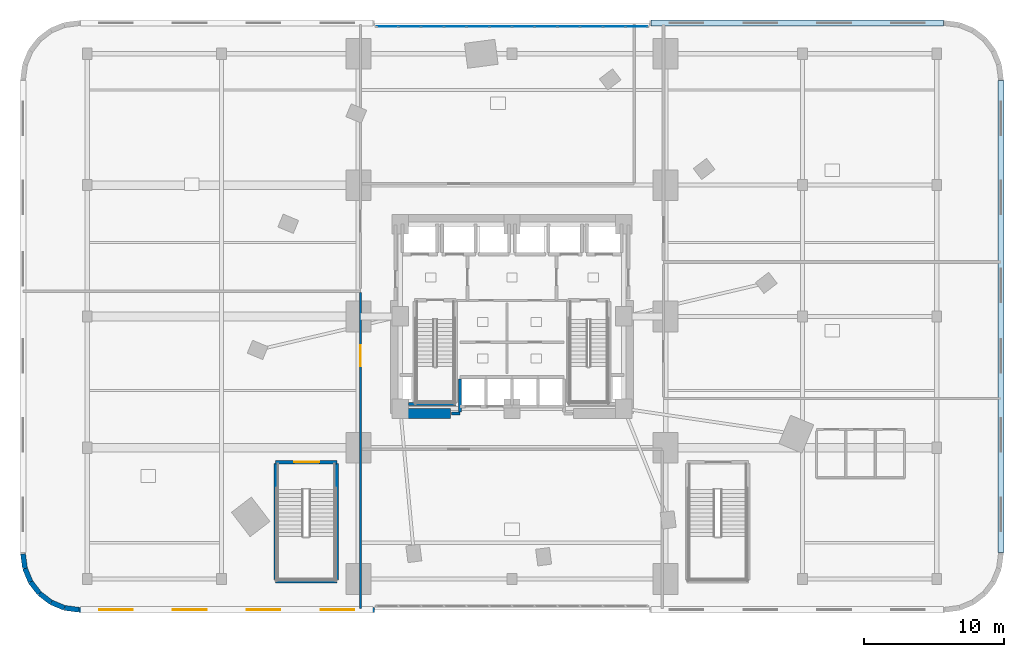
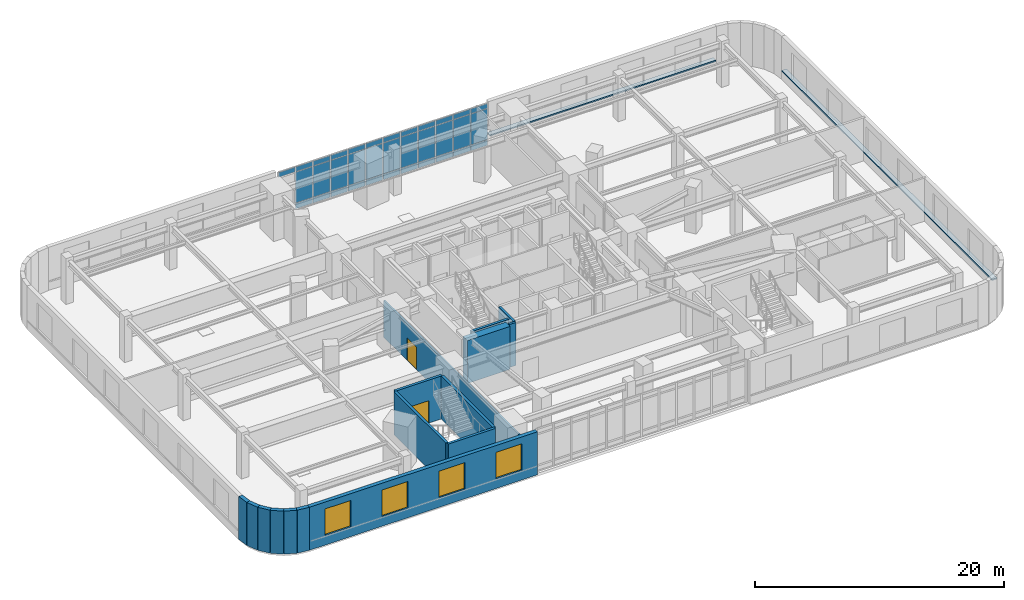
# One storey, part 12 of 19: 36 plates, 16 walls, 4 windows, 2 doors, 6 openings, 1 element without a shape of its own.
"""IFC4 building model written with IfcOpenShell, lengths in metres."""

from ifc_helpers import new_model, si_unit, direction, frame, frame_2d, origin, origin_2d, place, context, subcontext, project, spatial, rectangle, extrude, material, layer, layer_set, type_object, element, fill, aggregate, save


model = new_model("IFC4")

# Units and contexts
model_context = context("Model", 3, precision=1e-05, world=origin(), true_north=direction((0.0, 1.0)))
body_context = subcontext(model_context, "Body", "Model", "MODEL_VIEW")
ifc_project = project(units=[si_unit("LENGTHUNIT", "METRE"), si_unit("AREAUNIT", "SQUARE_METRE"), si_unit("VOLUMEUNIT", "CUBIC_METRE"), si_unit("PLANEANGLEUNIT", "RADIAN"), si_unit("MASSUNIT", "GRAM", prefix="KILO")], contexts=[model_context])

# Site, building, storey
site_placement = place(None, origin())
site = spatial("IfcSite", under=ifc_project, at=site_placement, CompositionType="ELEMENT")
building_placement = place(site_placement, origin())
building = spatial("IfcBuilding", under=site, at=building_placement, Name="Ndelora Gate Hotel", CompositionType="ELEMENT")
storey_placement = place(building_placement, frame((0.0, 0.0, 21.5)))
storey = spatial("IfcBuildingStorey", under=building, at=storey_placement, Name="L04", CompositionType="ELEMENT", Elevation=21.5)

# Curtain wall, plates
ifc_material_1 = material(Name="Bronze Anodised Unitised Aluminium and Low-E Glass", Category="aluminium")
ifc_layer_1 = layer(ifc_material_1, 0.219970703125)
ifc_layer_set_1 = layer_set([ifc_layer_1], Name="Bronze Anodised Unitised Aluminium and Low-E Glass")
curtain_wall_type = type_object("IfcCurtainWallType", Name="CW-SYS-2", PredefinedType="NOTDEFINED", material=ifc_layer_set_1)
curtain_wall_placement = place(storey_placement, origin())
curtain_wall = element("IfcCurtainWall", 1, at=curtain_wall_placement, inside=storey, type_object=curtain_wall_type, Name="L04 North Banquet Pre-Function Curtain Wall CW2", PredefinedType="NOTDEFINED")
ifc_material_2 = material(Name="Solar-Control Low-E Insulated Glazing", Category="glass")
ifc_layer_2 = layer(ifc_material_2, 0.048095703125)
ifc_layer_set_2 = layer_set([ifc_layer_2], Name="Solar-Control Low-E Insulated Glazing")
plate_type_1 = type_object("IfcPlateType", Name="PL-CW-GLZ36", PredefinedType="CURTAIN_PANEL", material=ifc_layer_set_2)
plate_1_placement = place(storey_placement, frame((8.919921875, 20.75, 0.05908203125), z_axis=(0.0, 0.0, 1.0), x_axis=(-1.0, 0.0, 0.0)))
plate_1 = element("IfcPlate", 2, at=plate_1_placement, type_object=plate_type_1, Name="CW2 panel 1.1", PredefinedType="CURTAIN_PANEL", context=body_context, shape_type="SweptSolid", body=[
    extrude(rectangle(XDim=1.531982421875, YDim=0.048095703125, at=origin_2d()), origin(), (0.0, 0.0, 1.0), 0.514404296875),
])
plate_2_placement = place(storey_placement, frame((8.919921875, 20.75, 0.62646484375), z_axis=(0.0, 0.0, 1.0), x_axis=(-1.0, 0.0, 0.0)))
plate_2 = element("IfcPlate", 3, at=plate_2_placement, type_object=plate_type_1, Name="CW2 panel 1.2", PredefinedType="CURTAIN_PANEL", context=body_context, shape_type="SweptSolid", body=[
    extrude(rectangle(XDim=1.531982421875, YDim=0.048095703125, at=origin_2d()), origin(), (0.0, 0.0, 1.0), 3.01708984375),
])
plate_3_placement = place(storey_placement, frame((8.919921875, 20.75, 3.6962890625), z_axis=(0.0, 0.0, 1.0), x_axis=(-1.0, 0.0, 0.0)))
plate_3 = element("IfcPlate", 4, at=plate_3_placement, type_object=plate_type_1, Name="CW2 panel 1.3", PredefinedType="CURTAIN_PANEL", context=body_context, shape_type="SweptSolid", body=[
    extrude(rectangle(XDim=1.531982421875, YDim=0.048095703125, at=origin_2d()), origin(), (0.0, 0.0, 1.0), 0.464599609375),
])
plate_4_placement = place(storey_placement, frame((7.3125, 20.75, 0.05908203125), z_axis=(0.0, 0.0, 1.0), x_axis=(-1.0, 0.0, 0.0)))
plate_4 = element("IfcPlate", 5, at=plate_4_placement, type_object=plate_type_1, Name="CW2 panel 2.1", PredefinedType="CURTAIN_PANEL", context=body_context, shape_type="SweptSolid", body=[
    extrude(rectangle(XDim=1.56689453125, YDim=0.048095703125, at=origin_2d()), origin(), (0.0, 0.0, 1.0), 0.514404296875),
])
plate_5_placement = place(storey_placement, frame((7.3125, 20.75, 0.62646484375), z_axis=(0.0, 0.0, 1.0), x_axis=(-1.0, 0.0, 0.0)))
plate_5 = element("IfcPlate", 6, at=plate_5_placement, type_object=plate_type_1, Name="CW2 panel 2.2", PredefinedType="CURTAIN_PANEL", context=body_context, shape_type="SweptSolid", body=[
    extrude(rectangle(XDim=1.56689453125, YDim=0.048095703125, at=origin_2d()), origin(), (0.0, 0.0, 1.0), 3.01708984375),
])
plate_6_placement = place(storey_placement, frame((7.3125, 20.75, 3.6962890625), z_axis=(0.0, 0.0, 1.0), x_axis=(-1.0, 0.0, 0.0)))
plate_6 = element("IfcPlate", 7, at=plate_6_placement, type_object=plate_type_1, Name="CW2 panel 2.3", PredefinedType="CURTAIN_PANEL", context=body_context, shape_type="SweptSolid", body=[
    extrude(rectangle(XDim=1.56689453125, YDim=0.048095703125, at=origin_2d()), origin(), (0.0, 0.0, 1.0), 0.464599609375),
])
plate_7_placement = place(storey_placement, frame((5.6875, 20.75, 0.05908203125), z_axis=(0.0, 0.0, 1.0), x_axis=(-1.0, 0.0, 0.0)))
plate_7 = element("IfcPlate", 8, at=plate_7_placement, type_object=plate_type_1, Name="CW2 panel 3.1", PredefinedType="CURTAIN_PANEL", context=body_context, shape_type="SweptSolid", body=[
    extrude(rectangle(XDim=1.56689453125, YDim=0.048095703125, at=origin_2d()), origin(), (0.0, 0.0, 1.0), 0.514404296875),
])
plate_8_placement = place(storey_placement, frame((5.6875, 20.75, 0.62646484375), z_axis=(0.0, 0.0, 1.0), x_axis=(-1.0, 0.0, 0.0)))
plate_8 = element("IfcPlate", 9, at=plate_8_placement, type_object=plate_type_1, Name="CW2 panel 3.2", PredefinedType="CURTAIN_PANEL", context=body_context, shape_type="SweptSolid", body=[
    extrude(rectangle(XDim=1.56689453125, YDim=0.048095703125, at=origin_2d()), origin(), (0.0, 0.0, 1.0), 3.01708984375),
])
plate_9_placement = place(storey_placement, frame((5.6875, 20.75, 3.6962890625), z_axis=(0.0, 0.0, 1.0), x_axis=(-1.0, 0.0, 0.0)))
plate_9 = element("IfcPlate", 10, at=plate_9_placement, type_object=plate_type_1, Name="CW2 panel 3.3", PredefinedType="CURTAIN_PANEL", context=body_context, shape_type="SweptSolid", body=[
    extrude(rectangle(XDim=1.56689453125, YDim=0.048095703125, at=origin_2d()), origin(), (0.0, 0.0, 1.0), 0.464599609375),
])
plate_10_placement = place(storey_placement, frame((4.0625, 20.75, 0.05908203125), z_axis=(0.0, 0.0, 1.0), x_axis=(-1.0, 0.0, 0.0)))
plate_10 = element("IfcPlate", 11, at=plate_10_placement, type_object=plate_type_1, Name="CW2 panel 4.1", PredefinedType="CURTAIN_PANEL", context=body_context, shape_type="SweptSolid", body=[
    extrude(rectangle(XDim=1.56689453125, YDim=0.048095703125, at=origin_2d()), origin(), (0.0, 0.0, 1.0), 0.514404296875),
])
plate_11_placement = place(storey_placement, frame((4.0625, 20.75, 0.62646484375), z_axis=(0.0, 0.0, 1.0), x_axis=(-1.0, 0.0, 0.0)))
plate_11 = element("IfcPlate", 12, at=plate_11_placement, type_object=plate_type_1, Name="CW2 panel 4.2", PredefinedType="CURTAIN_PANEL", context=body_context, shape_type="SweptSolid", body=[
    extrude(rectangle(XDim=1.56689453125, YDim=0.048095703125, at=origin_2d()), origin(), (0.0, 0.0, 1.0), 3.01708984375),
])
plate_12_placement = place(storey_placement, frame((4.0625, 20.75, 3.6962890625), z_axis=(0.0, 0.0, 1.0), x_axis=(-1.0, 0.0, 0.0)))
plate_12 = element("IfcPlate", 13, at=plate_12_placement, type_object=plate_type_1, Name="CW2 panel 4.3", PredefinedType="CURTAIN_PANEL", context=body_context, shape_type="SweptSolid", body=[
    extrude(rectangle(XDim=1.56689453125, YDim=0.048095703125, at=origin_2d()), origin(), (0.0, 0.0, 1.0), 0.464599609375),
])
plate_13_placement = place(storey_placement, frame((2.4375, 20.75, 0.05908203125), z_axis=(0.0, 0.0, 1.0), x_axis=(-1.0, 0.0, 0.0)))
plate_13 = element("IfcPlate", 14, at=plate_13_placement, type_object=plate_type_1, Name="CW2 panel 5.1", PredefinedType="CURTAIN_PANEL", context=body_context, shape_type="SweptSolid", body=[
    extrude(rectangle(XDim=1.56689453125, YDim=0.048095703125, at=origin_2d()), origin(), (0.0, 0.0, 1.0), 0.514404296875),
])
plate_14_placement = place(storey_placement, frame((2.4375, 20.75, 0.62646484375), z_axis=(0.0, 0.0, 1.0), x_axis=(-1.0, 0.0, 0.0)))
plate_14 = element("IfcPlate", 15, at=plate_14_placement, type_object=plate_type_1, Name="CW2 panel 5.2", PredefinedType="CURTAIN_PANEL", context=body_context, shape_type="SweptSolid", body=[
    extrude(rectangle(XDim=1.56689453125, YDim=0.048095703125, at=origin_2d()), origin(), (0.0, 0.0, 1.0), 3.01708984375),
])
plate_15_placement = place(storey_placement, frame((2.4375, 20.75, 3.6962890625), z_axis=(0.0, 0.0, 1.0), x_axis=(-1.0, 0.0, 0.0)))
plate_15 = element("IfcPlate", 16, at=plate_15_placement, type_object=plate_type_1, Name="CW2 panel 5.3", PredefinedType="CURTAIN_PANEL", context=body_context, shape_type="SweptSolid", body=[
    extrude(rectangle(XDim=1.56689453125, YDim=0.048095703125, at=origin_2d()), origin(), (0.0, 0.0, 1.0), 0.464599609375),
])
plate_16_placement = place(storey_placement, frame((0.8125, 20.75, 0.05908203125), z_axis=(0.0, 0.0, 1.0), x_axis=(-1.0, 0.0, 0.0)))
plate_16 = element("IfcPlate", 17, at=plate_16_placement, type_object=plate_type_1, Name="CW2 panel 6.1", PredefinedType="CURTAIN_PANEL", context=body_context, shape_type="SweptSolid", body=[
    extrude(rectangle(XDim=1.56689453125, YDim=0.048095703125, at=origin_2d()), origin(), (0.0, 0.0, 1.0), 0.514404296875),
])
plate_17_placement = place(storey_placement, frame((0.8125, 20.75, 0.62646484375), z_axis=(0.0, 0.0, 1.0), x_axis=(-1.0, 0.0, 0.0)))
plate_17 = element("IfcPlate", 18, at=plate_17_placement, type_object=plate_type_1, Name="CW2 panel 6.2", PredefinedType="CURTAIN_PANEL", context=body_context, shape_type="SweptSolid", body=[
    extrude(rectangle(XDim=1.56689453125, YDim=0.048095703125, at=origin_2d()), origin(), (0.0, 0.0, 1.0), 3.01708984375),
])
plate_18_placement = place(storey_placement, frame((0.8125, 20.75, 3.6962890625), z_axis=(0.0, 0.0, 1.0), x_axis=(-1.0, 0.0, 0.0)))
plate_18 = element("IfcPlate", 19, at=plate_18_placement, type_object=plate_type_1, Name="CW2 panel 6.3", PredefinedType="CURTAIN_PANEL", context=body_context, shape_type="SweptSolid", body=[
    extrude(rectangle(XDim=1.56689453125, YDim=0.048095703125, at=origin_2d()), origin(), (0.0, 0.0, 1.0), 0.464599609375),
])
plate_19_placement = place(storey_placement, frame((-0.8125, 20.75, 0.05908203125), z_axis=(0.0, 0.0, 1.0), x_axis=(-1.0, 0.0, 0.0)))
plate_19 = element("IfcPlate", 20, at=plate_19_placement, type_object=plate_type_1, Name="CW2 panel 7.1", PredefinedType="CURTAIN_PANEL", context=body_context, shape_type="SweptSolid", body=[
    extrude(rectangle(XDim=1.56689453125, YDim=0.048095703125, at=origin_2d()), origin(), (0.0, 0.0, 1.0), 0.514404296875),
])
plate_20_placement = place(storey_placement, frame((-0.8125, 20.75, 0.62646484375), z_axis=(0.0, 0.0, 1.0), x_axis=(-1.0, 0.0, 0.0)))
plate_20 = element("IfcPlate", 21, at=plate_20_placement, type_object=plate_type_1, Name="CW2 panel 7.2", PredefinedType="CURTAIN_PANEL", context=body_context, shape_type="SweptSolid", body=[
    extrude(rectangle(XDim=1.56689453125, YDim=0.048095703125, at=origin_2d()), origin(), (0.0, 0.0, 1.0), 3.01708984375),
])
plate_21_placement = place(storey_placement, frame((-0.8125, 20.75, 3.6962890625), z_axis=(0.0, 0.0, 1.0), x_axis=(-1.0, 0.0, 0.0)))
plate_21 = element("IfcPlate", 22, at=plate_21_placement, type_object=plate_type_1, Name="CW2 panel 7.3", PredefinedType="CURTAIN_PANEL", context=body_context, shape_type="SweptSolid", body=[
    extrude(rectangle(XDim=1.56689453125, YDim=0.048095703125, at=origin_2d()), origin(), (0.0, 0.0, 1.0), 0.464599609375),
])
plate_22_placement = place(storey_placement, frame((-2.4375, 20.75, 0.05908203125), z_axis=(0.0, 0.0, 1.0), x_axis=(-1.0, 0.0, 0.0)))
plate_22 = element("IfcPlate", 23, at=plate_22_placement, type_object=plate_type_1, Name="CW2 panel 8.1", PredefinedType="CURTAIN_PANEL", context=body_context, shape_type="SweptSolid", body=[
    extrude(rectangle(XDim=1.56689453125, YDim=0.048095703125, at=origin_2d()), origin(), (0.0, 0.0, 1.0), 0.514404296875),
])
plate_23_placement = place(storey_placement, frame((-2.4375, 20.75, 0.62646484375), z_axis=(0.0, 0.0, 1.0), x_axis=(-1.0, 0.0, 0.0)))
plate_23 = element("IfcPlate", 24, at=plate_23_placement, type_object=plate_type_1, Name="CW2 panel 8.2", PredefinedType="CURTAIN_PANEL", context=body_context, shape_type="SweptSolid", body=[
    extrude(rectangle(XDim=1.56689453125, YDim=0.048095703125, at=origin_2d()), origin(), (0.0, 0.0, 1.0), 3.01708984375),
])
plate_24_placement = place(storey_placement, frame((-2.4375, 20.75, 3.6962890625), z_axis=(0.0, 0.0, 1.0), x_axis=(-1.0, 0.0, 0.0)))
plate_24 = element("IfcPlate", 25, at=plate_24_placement, type_object=plate_type_1, Name="CW2 panel 8.3", PredefinedType="CURTAIN_PANEL", context=body_context, shape_type="SweptSolid", body=[
    extrude(rectangle(XDim=1.56689453125, YDim=0.048095703125, at=origin_2d()), origin(), (0.0, 0.0, 1.0), 0.464599609375),
])
plate_25_placement = place(storey_placement, frame((-4.0625, 20.75, 0.05908203125), z_axis=(0.0, 0.0, 1.0), x_axis=(-1.0, 0.0, 0.0)))
plate_25 = element("IfcPlate", 26, at=plate_25_placement, type_object=plate_type_1, Name="CW2 panel 9.1", PredefinedType="CURTAIN_PANEL", context=body_context, shape_type="SweptSolid", body=[
    extrude(rectangle(XDim=1.56689453125, YDim=0.048095703125, at=origin_2d()), origin(), (0.0, 0.0, 1.0), 0.514404296875),
])
plate_26_placement = place(storey_placement, frame((-4.0625, 20.75, 0.62646484375), z_axis=(0.0, 0.0, 1.0), x_axis=(-1.0, 0.0, 0.0)))
plate_26 = element("IfcPlate", 27, at=plate_26_placement, type_object=plate_type_1, Name="CW2 panel 9.2", PredefinedType="CURTAIN_PANEL", context=body_context, shape_type="SweptSolid", body=[
    extrude(rectangle(XDim=1.56689453125, YDim=0.048095703125, at=origin_2d()), origin(), (0.0, 0.0, 1.0), 3.01708984375),
])
plate_27_placement = place(storey_placement, frame((-4.0625, 20.75, 3.6962890625), z_axis=(0.0, 0.0, 1.0), x_axis=(-1.0, 0.0, 0.0)))
plate_27 = element("IfcPlate", 28, at=plate_27_placement, type_object=plate_type_1, Name="CW2 panel 9.3", PredefinedType="CURTAIN_PANEL", context=body_context, shape_type="SweptSolid", body=[
    extrude(rectangle(XDim=1.56689453125, YDim=0.048095703125, at=origin_2d()), origin(), (0.0, 0.0, 1.0), 0.464599609375),
])
plate_28_placement = place(storey_placement, frame((-5.6875, 20.75, 0.05908203125), z_axis=(0.0, 0.0, 1.0), x_axis=(-1.0, 0.0, 0.0)))
plate_28 = element("IfcPlate", 29, at=plate_28_placement, type_object=plate_type_1, Name="CW2 panel 10.1", PredefinedType="CURTAIN_PANEL", context=body_context, shape_type="SweptSolid", body=[
    extrude(rectangle(XDim=1.56689453125, YDim=0.048095703125, at=origin_2d()), origin(), (0.0, 0.0, 1.0), 0.514404296875),
])
plate_29_placement = place(storey_placement, frame((-5.6875, 20.75, 0.62646484375), z_axis=(0.0, 0.0, 1.0), x_axis=(-1.0, 0.0, 0.0)))
plate_29 = element("IfcPlate", 30, at=plate_29_placement, type_object=plate_type_1, Name="CW2 panel 10.2", PredefinedType="CURTAIN_PANEL", context=body_context, shape_type="SweptSolid", body=[
    extrude(rectangle(XDim=1.56689453125, YDim=0.048095703125, at=origin_2d()), origin(), (0.0, 0.0, 1.0), 3.01708984375),
])
plate_30_placement = place(storey_placement, frame((-5.6875, 20.75, 3.6962890625), z_axis=(0.0, 0.0, 1.0), x_axis=(-1.0, 0.0, 0.0)))
plate_30 = element("IfcPlate", 31, at=plate_30_placement, type_object=plate_type_1, Name="CW2 panel 10.3", PredefinedType="CURTAIN_PANEL", context=body_context, shape_type="SweptSolid", body=[
    extrude(rectangle(XDim=1.56689453125, YDim=0.048095703125, at=origin_2d()), origin(), (0.0, 0.0, 1.0), 0.464599609375),
])
plate_31_placement = place(storey_placement, frame((-7.3125, 20.75, 0.05908203125), z_axis=(0.0, 0.0, 1.0), x_axis=(-1.0, 0.0, 0.0)))
plate_31 = element("IfcPlate", 32, at=plate_31_placement, type_object=plate_type_1, Name="CW2 panel 11.1", PredefinedType="CURTAIN_PANEL", context=body_context, shape_type="SweptSolid", body=[
    extrude(rectangle(XDim=1.56689453125, YDim=0.048095703125, at=origin_2d()), origin(), (0.0, 0.0, 1.0), 0.514404296875),
])
plate_32_placement = place(storey_placement, frame((-7.3125, 20.75, 0.62646484375), z_axis=(0.0, 0.0, 1.0), x_axis=(-1.0, 0.0, 0.0)))
plate_32 = element("IfcPlate", 33, at=plate_32_placement, type_object=plate_type_1, Name="CW2 panel 11.2", PredefinedType="CURTAIN_PANEL", context=body_context, shape_type="SweptSolid", body=[
    extrude(rectangle(XDim=1.56689453125, YDim=0.048095703125, at=origin_2d()), origin(), (0.0, 0.0, 1.0), 3.01708984375),
])
plate_33_placement = place(storey_placement, frame((-7.3125, 20.75, 3.6962890625), z_axis=(0.0, 0.0, 1.0), x_axis=(-1.0, 0.0, 0.0)))
plate_33 = element("IfcPlate", 34, at=plate_33_placement, type_object=plate_type_1, Name="CW2 panel 11.3", PredefinedType="CURTAIN_PANEL", context=body_context, shape_type="SweptSolid", body=[
    extrude(rectangle(XDim=1.56689453125, YDim=0.048095703125, at=origin_2d()), origin(), (0.0, 0.0, 1.0), 0.464599609375),
])
plate_34_placement = place(storey_placement, frame((-8.919921875, 20.75, 3.6962890625), z_axis=(0.0, 0.0, 1.0), x_axis=(-1.0, 0.0, 0.0)))
plate_34 = element("IfcPlate", 35, at=plate_34_placement, type_object=plate_type_1, Name="CW2 panel 12.3", PredefinedType="CURTAIN_PANEL", context=body_context, shape_type="SweptSolid", body=[
    extrude(rectangle(XDim=1.531982421875, YDim=0.048095703125, at=origin_2d()), origin(), (0.0, 0.0, 1.0), 0.464599609375),
])
aggregate(curtain_wall, [plate_1, plate_2, plate_3, plate_4, plate_5, plate_6, plate_7, plate_8, plate_9, plate_10, plate_11, plate_12, plate_13, plate_14, plate_15, plate_16, plate_17, plate_18, plate_19, plate_20, plate_21, plate_22, plate_23, plate_24, plate_25, plate_26, plate_27, plate_28, plate_29, plate_30, plate_31, plate_32, plate_33, plate_34])

# Plates
ifc_material_3 = material(Name="Precast concrete C40/50", Category="concrete")
ifc_layer_3 = layer(ifc_material_3, 0.125)
ifc_layer_set_3 = layer_set([ifc_layer_3], Name="Precast concrete C40/50")
plate_type_2 = type_object("IfcPlateType", Name="PL-SILL-120", PredefinedType="USERDEFINED", material=ifc_layer_set_3)
plate_35_placement = place(storey_placement, frame((35.0, 0.0, 0.8173828125), z_axis=(0.0, 0.0, 1.0), x_axis=(0.0, 1.0, 0.0)))
element("IfcPlate", 36, at=plate_35_placement, inside=storey, type_object=plate_type_2, Name="L04 Precast Concrete Ribbon Sill Band 7", ObjectType="RIBBON_SILL", PredefinedType="USERDEFINED", context=body_context, shape_type="SweptSolid", body=[
    extrude(rectangle(XDim=33.800048828125, YDim=0.43994140625, at=origin_2d()), origin(), (0.0, 0.0, 1.0), 0.125),
])
plate_36_placement = place(storey_placement, frame((20.425048828125, 21.0, 0.8173828125), z_axis=(0.0, 0.0, 1.0), x_axis=(1.0, 0.0, 0.0)))
element("IfcPlate", 37, at=plate_36_placement, inside=storey, type_object=plate_type_2, Name="L04 Precast Concrete Ribbon Sill Band 15", ObjectType="RIBBON_SILL", PredefinedType="USERDEFINED", context=body_context, shape_type="SweptSolid", body=[
    extrude(rectangle(XDim=20.949951171875, YDim=0.43994140625, at=origin_2d()), origin(), (0.0, 0.0, 1.0), 0.125),
])

# Walls
ifc_material_4 = material(Name="Clay Brick Masonry", Category="masonry")
ifc_layer_4 = layer(ifc_material_4, 0.360107421875)
ifc_layer_set_4 = layer_set([ifc_layer_4], Name="Clay Brick Masonry")
wall_type_1 = type_object("IfcWallType", Name="WL-BRICK-360", PredefinedType="SOLIDWALL", material=ifc_layer_set_4)
wall_1_placement = place(storey_placement, frame((-34.86376953125, -18.035400390625, 0.0), z_axis=(0.0, 0.0, 1.0), x_axis=(-0.130448465198, 0.991455091231, 0.0)))
element("IfcWall", 38, at=wall_1_placement, inside=storey, type_object=wall_type_1, Name="L04 Exterior Brick Pier-and-Spandrel Wall 23", PredefinedType="SOLIDWALL", context=body_context, shape_type="SweptSolid", body=[
    extrude(rectangle(XDim=1.04443359375, YDim=0.360107421875, at=frame_2d((0.522216796875, 0.0))), origin(), (0.0, 0.0, 1.0), 4.219970703125),
])
for number, where, z_axis, x_axis, name in (
    (39, (-34.464111328125, -19.0, 0.0), (0.0, 0.0, 1.0), (-0.382771688877, 0.923842970528, 0.0), "L04 Exterior Brick Pier-and-Spandrel Wall 24"),
    (40, (-33.828369140625, -19.828369140625, 0.0), (0.0, 0.0, 1.0), (-0.608829050876, 0.793301447628, 0.0), "L04 Exterior Brick Pier-and-Spandrel Wall 25"),
    (41, (-33.0, -20.464111328125, 0.0), (0.0, 0.0, 1.0), (-0.793301447628, 0.608829050876, 0.0), "L04 Exterior Brick Pier-and-Spandrel Wall 26"),
    (42, (-32.035400390625, -20.86376953125, 0.0), (0.0, 0.0, 1.0), (-0.923842970528, 0.382771688877, 0.0), "L04 Exterior Brick Pier-and-Spandrel Wall 27"),
):
    element("IfcWall", number, at=place(storey_placement, frame(where, z_axis=z_axis, x_axis=x_axis)), inside=storey, type_object=wall_type_1, Name=name, PredefinedType="SOLIDWALL", context=body_context, shape_type="SweptSolid", body=[
        extrude(rectangle(XDim=1.044189453125, YDim=0.360107421875, at=frame_2d((0.52197265625, 0.0))), origin(), (0.0, 0.0, 1.0), 4.219970703125),
    ])
wall_2_placement = place(storey_placement, frame((-31.0, -21.0, 0.0), z_axis=(0.0, 0.0, 1.0), x_axis=(-0.991455091231, 0.130448465198, 0.0)))
element("IfcWall", 43, at=wall_2_placement, inside=storey, type_object=wall_type_1, Name="L04 Exterior Brick Pier-and-Spandrel Wall 28", PredefinedType="SOLIDWALL", context=body_context, shape_type="SweptSolid", body=[
    extrude(rectangle(XDim=1.04443359375, YDim=0.360107421875, at=frame_2d((0.522216796875, 0.0))), origin(), (0.0, 0.0, 1.0), 4.219970703125),
])

# Wall, openings, windows
wall_3_placement = place(storey_placement, frame((-9.85009765625, -21.0, 0.0), z_axis=(0.0, 0.0, 1.0), x_axis=(-1.0, 0.0, 0.0)))
wall_3 = element("IfcWall", 44, at=wall_3_placement, inside=storey, type_object=wall_type_1, Name="L04 Exterior Brick Pier-and-Spandrel Wall 29", PredefinedType="SOLIDWALL", context=body_context, shape_type="SweptSolid", body=[
    extrude(rectangle(XDim=21.14990234375, YDim=0.360107421875, at=frame_2d((10.574951171875, 0.0))), origin(), (0.0, 0.0, 1.0), 4.219970703125),
])
opening_1_placement = place(wall_3_placement, frame((1.443603515625, 0.0, 0.949951171875)))
opening_1 = element("IfcOpeningElement", 45, at=opening_1_placement, cuts=wall_3, Name="Opening W04", PredefinedType="OPENING", context=body_context, shape_type="SweptSolid", body=[
    extrude(rectangle(XDim=2.39990234375, YDim=2.60009765625, at=frame_2d((1.199951171875, 1.300048828125))), frame((0.0, 0.18994140625, 0.0), z_axis=(0.0, -1.0, 0.0), x_axis=(1.0, 0.0, 0.0)), (0.0, 0.0, 1.0), 0.380126953125),
])
opening_2_placement = place(wall_3_placement, frame((6.731201171875, 0.0, 0.949951171875)))
opening_2 = element("IfcOpeningElement", 46, at=opening_2_placement, cuts=wall_3, Name="Opening W04", PredefinedType="OPENING", context=body_context, shape_type="SweptSolid", body=[
    extrude(rectangle(XDim=2.39990234375, YDim=2.60009765625, at=frame_2d((1.199951171875, 1.300048828125))), frame((0.0, 0.18994140625, 0.0), z_axis=(0.0, -1.0, 0.0), x_axis=(1.0, 0.0, 0.0)), (0.0, 0.0, 1.0), 0.380126953125),
])
opening_3_placement = place(wall_3_placement, frame((12.018798828125, 0.0, 0.949951171875)))
opening_3 = element("IfcOpeningElement", 47, at=opening_3_placement, cuts=wall_3, Name="Opening W04", PredefinedType="OPENING", context=body_context, shape_type="SweptSolid", body=[
    extrude(rectangle(XDim=2.39990234375, YDim=2.60009765625, at=frame_2d((1.199951171875, 1.300048828125))), frame((0.0, 0.18994140625, 0.0), z_axis=(0.0, -1.0, 0.0), x_axis=(1.0, 0.0, 0.0)), (0.0, 0.0, 1.0), 0.380126953125),
])
opening_4_placement = place(wall_3_placement, frame((17.30615234375, 0.0, 0.949951171875)))
opening_4 = element("IfcOpeningElement", 48, at=opening_4_placement, cuts=wall_3, Name="Opening W04", PredefinedType="OPENING", context=body_context, shape_type="SweptSolid", body=[
    extrude(rectangle(XDim=2.39990234375, YDim=2.60009765625, at=frame_2d((1.199951171875, 1.300048828125))), frame((0.0, 0.18994140625, 0.0), z_axis=(0.0, -1.0, 0.0), x_axis=(1.0, 0.0, 0.0)), (0.0, 0.0, 1.0), 0.380126953125),
])
ifc_material_5 = material(Name="Insulated Low-E Double Glazing in Bronze Aluminium Frame", Category="aluminium")
window_type = type_object("IfcWindowType", Name="WN-POD-2400", PartitioningType="SINGLE_PANEL", PredefinedType="WINDOW", material=ifc_material_5)
window_1_placement = place(opening_1_placement, origin())
window_1 = element("IfcWindow", 49, at=window_1_placement, inside=storey, type_object=window_type, Name="L04 Deep-Set Podium Brick-Frame Window W04", OverallHeight=2.60009765625, OverallWidth=2.39990234375, PartitioningType="SINGLE_PANEL", PredefinedType="WINDOW", context=body_context, shape_type="SweptSolid", body=[
    extrude(rectangle(XDim=2.39990234375, YDim=2.60009765625, at=frame_2d((1.199951171875, 1.300048828125))), frame((0.0, 0.030029296875, 0.0), z_axis=(0.0, -1.0, 0.0), x_axis=(1.0, 0.0, 0.0)), (0.0, 0.0, 1.0), 0.06005859375),
])
fill(opening_1, window_1)
window_2_placement = place(opening_2_placement, origin())
window_2 = element("IfcWindow", 50, at=window_2_placement, inside=storey, type_object=window_type, Name="L04 Deep-Set Podium Brick-Frame Window W04", OverallHeight=2.60009765625, OverallWidth=2.39990234375, PartitioningType="SINGLE_PANEL", PredefinedType="WINDOW", context=body_context, shape_type="SweptSolid", body=[
    extrude(rectangle(XDim=2.39990234375, YDim=2.60009765625, at=frame_2d((1.199951171875, 1.300048828125))), frame((0.0, 0.030029296875, 0.0), z_axis=(0.0, -1.0, 0.0), x_axis=(1.0, 0.0, 0.0)), (0.0, 0.0, 1.0), 0.06005859375),
])
fill(opening_2, window_2)
window_3_placement = place(opening_3_placement, origin())
window_3 = element("IfcWindow", 51, at=window_3_placement, inside=storey, type_object=window_type, Name="L04 Deep-Set Podium Brick-Frame Window W04", OverallHeight=2.60009765625, OverallWidth=2.39990234375, PartitioningType="SINGLE_PANEL", PredefinedType="WINDOW", context=body_context, shape_type="SweptSolid", body=[
    extrude(rectangle(XDim=2.39990234375, YDim=2.60009765625, at=frame_2d((1.199951171875, 1.300048828125))), frame((0.0, 0.030029296875, 0.0), z_axis=(0.0, -1.0, 0.0), x_axis=(1.0, 0.0, 0.0)), (0.0, 0.0, 1.0), 0.06005859375),
])
fill(opening_3, window_3)
window_4_placement = place(opening_4_placement, origin())
window_4 = element("IfcWindow", 52, at=window_4_placement, inside=storey, type_object=window_type, Name="L04 Deep-Set Podium Brick-Frame Window W04", OverallHeight=2.60009765625, OverallWidth=2.39990234375, PartitioningType="SINGLE_PANEL", PredefinedType="WINDOW", context=body_context, shape_type="SweptSolid", body=[
    extrude(rectangle(XDim=2.39990234375, YDim=2.60009765625, at=frame_2d((1.199951171875, 1.300048828125))), frame((0.0, 0.030029296875, 0.0), z_axis=(0.0, -1.0, 0.0), x_axis=(1.0, 0.0, 0.0)), (0.0, 0.0, 1.0), 0.06005859375),
])
fill(opening_4, window_4)

# Walls
ifc_material_6 = material(Name="Concrete C60/75", Category="concrete")
ifc_layer_5 = layer(ifc_material_6, 0.699951171875)
ifc_layer_set_5 = layer_set([ifc_layer_5], Name="Concrete C60/75")
wall_type_2 = type_object("IfcWallType", Name="WL-CORE-700", PredefinedType="SHEAR", material=ifc_layer_set_5)
wall_4_placement = place(storey_placement, frame((-8.35009765625, -6.949951171875, 0.0), z_axis=(0.0, 0.0, 1.0), x_axis=(1.0, 0.0, 0.0)))
element("IfcWall", 53, at=wall_4_placement, inside=storey, type_object=wall_type_2, Name="L04 Core Shear Wall S-W", PredefinedType="SHEAR", context=body_context, shape_type="SweptSolid", body=[
    extrude(rectangle(XDim=3.9501953125, YDim=0.699951171875, at=frame_2d((1.97509765625, 0.0))), origin(), (0.0, 0.0, 1.0), 4.219970703125),
])
ifc_material_7 = material(Name="Concrete C40/50", Category="concrete")
ifc_layer_6 = layer(ifc_material_7, 0.199951171875)
ifc_layer_set_6 = layer_set([ifc_layer_6], Name="Concrete C40/50")
wall_type_3 = type_object("IfcWallType", Name="WL-FIRE-200", PredefinedType="PARTITIONING", material=ifc_layer_set_6)
wall_5_placement = place(storey_placement, frame((-4.320068359375, -6.949951171875, 0.0), z_axis=(0.0, 0.0, 1.0), x_axis=(1.0, 0.0, 0.0)))
element("IfcWall", 54, at=wall_5_placement, inside=storey, type_object=wall_type_3, Name="L04 Interior Wall IW-2", PredefinedType="PARTITIONING", context=body_context, shape_type="SweptSolid", body=[
    extrude(rectangle(XDim=0.60009765625, YDim=0.199951171875, at=frame_2d((0.300048828125, 0.0))), origin(), (0.0, 0.0, 1.0), 4.219970703125),
])

# Wall, opening, door
ifc_material_8 = material(Name="Fire-Rated Gypsum Stud Partition", Category="gypsum")
ifc_layer_7 = layer(ifc_material_8, 0.159912109375)
ifc_layer_set_7 = layer_set([ifc_layer_7], Name="Fire-Rated Gypsum Stud Partition")
wall_type_4 = type_object("IfcWallType", Name="WL-PART-160", PredefinedType="PARTITIONING", material=ifc_layer_set_7)
wall_6_placement = place(storey_placement, frame((-10.85009765625, -20.89990234375, 0.0), z_axis=(0.0, 0.0, 1.0), x_axis=(0.0, 1.0, 0.0)))
wall_6 = element("IfcWall", 55, at=wall_6_placement, inside=storey, type_object=wall_type_4, Name="L04 Interior Wall IW-4", PredefinedType="PARTITIONING", context=body_context, shape_type="SweptSolid", body=[
    extrude(rectangle(XDim=22.599853515625, YDim=0.159912109375, at=frame_2d((11.2998046875, 0.0))), origin(), (0.0, 0.0, 1.0), 3.60009765625),
])
opening_5_placement = place(wall_6_placement, frame((17.35009765625, 0.0, 0.0)))
opening_5 = element("IfcOpeningElement", 56, at=opening_5_placement, cuts=wall_6, Name="Opening D06", PredefinedType="OPENING", context=body_context, shape_type="SweptSolid", body=[
    extrude(rectangle(XDim=1.5, YDim=2.199951171875, at=frame_2d((0.75, 1.10009765625))), frame((0.0, 0.08984375, 0.0), z_axis=(0.0, -1.0, 0.0), x_axis=(1.0, 0.0, 0.0)), (0.0, 0.0, 1.0), 0.179931640625),
])
ifc_material_9 = material(Name="Podium Salon Double Leaf Door", Category="wood")
door_type_1 = type_object("IfcDoorType", Name="DR-POD-1500", OperationType="DOUBLE_DOOR_SINGLE_SWING", PredefinedType="DOOR", material=ifc_material_9)
door_1_placement = place(opening_5_placement, origin())
door_1 = element("IfcDoor", 57, at=door_1_placement, inside=storey, type_object=door_type_1, Name="L04 Breakout Meeting Hall West Door", OperationType="DOUBLE_DOOR_SINGLE_SWING", OverallHeight=2.199951171875, OverallWidth=1.5, PredefinedType="DOOR", context=body_context, shape_type="SweptSolid", body=[
    extrude(rectangle(XDim=1.5, YDim=2.199951171875, at=frame_2d((0.75, 1.10009765625))), frame((0.0, 0.02490234375, 0.0), z_axis=(0.0, -1.0, 0.0), x_axis=(1.0, 0.0, 0.0)), (0.0, 0.0, 1.0), 0.050048828125),
])
fill(opening_5, door_1)

# Walls
ifc_layer_8 = layer(ifc_material_7, 0.219970703125)
ifc_layer_set_8 = layer_set([ifc_layer_8], Name="Concrete C40/50")
wall_type_5 = type_object("IfcWallType", Name="WL-SHAFT-220", PredefinedType="PARTITIONING", material=ifc_layer_set_8)
wall_7_placement = place(storey_placement, frame((-3.719970703125, -6.830078125, 0.0), z_axis=(0.0, 0.0, 1.0), x_axis=(0.0, 1.0, 0.0)))
element("IfcWall", 58, at=wall_7_placement, inside=storey, type_object=wall_type_5, Name="L04 Interior Wall IW-1", PredefinedType="PARTITIONING", context=body_context, shape_type="SweptSolid", body=[
    extrude(rectangle(XDim=2.360107421875, YDim=0.219970703125, at=frame_2d((1.18017578125, 0.0))), origin(), (0.0, 0.0, 1.0), 4.219970703125),
])
ifc_material_10 = material(Name="Concrete C50/60", Category="concrete")
ifc_layer_9 = layer(ifc_material_10, 0.239990234375)
ifc_layer_set_9 = layer_set([ifc_layer_9], Name="Concrete C50/60")
wall_type_6 = type_object("IfcWallType", Name="WL-STAIR-240", PredefinedType="SHEAR", material=ifc_layer_set_9)
wall_8_placement = place(storey_placement, frame((-7.425048828125, -6.27001953125, 0.0), z_axis=(0.0, 0.0, 1.0), x_axis=(1.0, 0.0, 0.0)))
element("IfcWall", 59, at=wall_8_placement, inside=storey, type_object=wall_type_6, Name="L04 Stair Core Shear Wall SW-ST", PredefinedType="SHEAR", context=body_context, shape_type="SweptSolid", body=[
    extrude(rectangle(XDim=3.4150390625, YDim=0.239990234375, at=frame_2d((1.70751953125, 0.0))), origin(), (0.0, 0.0, 1.0), 4.219970703125),
])
for number, where, z_axis, x_axis, name in (
    (60, (-16.919921875, -18.860107421875, 0.0), (0.0, 0.0, 1.0), (0.0, 1.0, 0.0), "L04 Stair Core Shear Wall SW-ST"),
    (61, (-12.5400390625, -18.860107421875, 0.0), (0.0, 0.0, 1.0), (0.0, 1.0, 0.0), "L04 Stair Core Shear Wall SW-ST"),
):
    element("IfcWall", number, at=place(storey_placement, frame(where, z_axis=z_axis, x_axis=x_axis)), inside=storey, type_object=wall_type_6, Name=name, PredefinedType="SHEAR", context=body_context, shape_type="SweptSolid", body=[
        extrude(rectangle(XDim=8.320068359375, YDim=0.239990234375, at=frame_2d((4.16015625, 0.0))), origin(), (0.0, 0.0, 1.0), 4.219970703125),
    ])
wall_9_placement = place(storey_placement, frame((-16.919921875, -18.969970703125, 0.0), z_axis=(0.0, 0.0, 1.0), x_axis=(1.0, 0.0, 0.0)))
element("IfcWall", 62, at=wall_9_placement, inside=storey, type_object=wall_type_6, Name="L04 Stair Core Shear Wall SW-ST", PredefinedType="SHEAR", context=body_context, shape_type="SweptSolid", body=[
    extrude(rectangle(XDim=4.3798828125, YDim=0.239990234375, at=frame_2d((2.18994140625, 0.0))), origin(), (0.0, 0.0, 1.0), 4.219970703125),
])

# Wall, opening, door
wall_10_placement = place(storey_placement, frame((-12.5400390625, -10.429931640625, 0.0), z_axis=(0.0, 0.0, 1.0), x_axis=(-1.0, 0.0, 0.0)))
wall_10 = element("IfcWall", 63, at=wall_10_placement, inside=storey, type_object=wall_type_6, Name="L04 Stair Core Shear Wall SW-ST", PredefinedType="SHEAR", context=body_context, shape_type="SweptSolid", body=[
    extrude(rectangle(XDim=4.3798828125, YDim=0.239990234375, at=frame_2d((2.18994140625, 0.0))), origin(), (0.0, 0.0, 1.0), 4.219970703125),
])
opening_6_placement = place(wall_10_placement, frame((1.25, 0.0, 0.0)))
opening_6 = element("IfcOpeningElement", 64, at=opening_6_placement, cuts=wall_10, Name="Opening FD2", PredefinedType="OPENING", context=body_context, shape_type="SweptSolid", body=[
    extrude(rectangle(XDim=1.800048828125, YDim=2.199951171875, at=frame_2d((0.89990234375, 1.10009765625))), frame((0.0, 0.1298828125, 0.0), z_axis=(0.0, -1.0, 0.0), x_axis=(1.0, 0.0, 0.0)), (0.0, 0.0, 1.0), 0.260009765625),
])
ifc_material_11 = material(Name="Fire-Rated Double Exit Door", Category="wood")
door_type_2 = type_object("IfcDoorType", Name="DR-DBL-1800", OperationType="DOUBLE_DOOR_SINGLE_SWING", PredefinedType="DOOR", material=ifc_material_11)
door_2_placement = place(opening_6_placement, origin())
door_2 = element("IfcDoor", 65, at=door_2_placement, inside=storey, type_object=door_type_2, Name="L04 Ballroom Stair ST3A Door", OperationType="DOUBLE_DOOR_SINGLE_SWING", OverallHeight=2.199951171875, OverallWidth=1.800048828125, PredefinedType="DOOR", context=body_context, shape_type="SweptSolid", body=[
    extrude(rectangle(XDim=1.800048828125, YDim=2.199951171875, at=frame_2d((0.89990234375, 1.10009765625))), frame((0.0, 0.02490234375, 0.0), z_axis=(0.0, -1.0, 0.0), x_axis=(1.0, 0.0, 0.0)), (0.0, 0.0, 1.0), 0.050048828125),
])
fill(opening_6, door_2)

save(model, "model.ifc")
